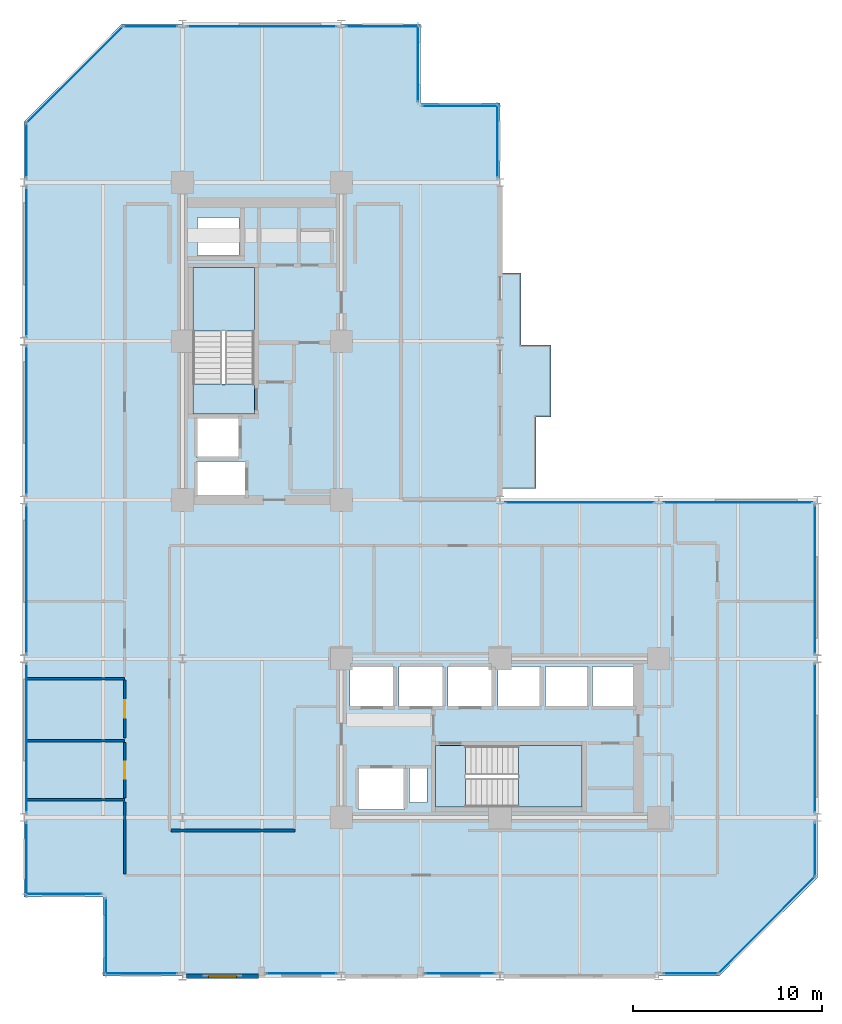
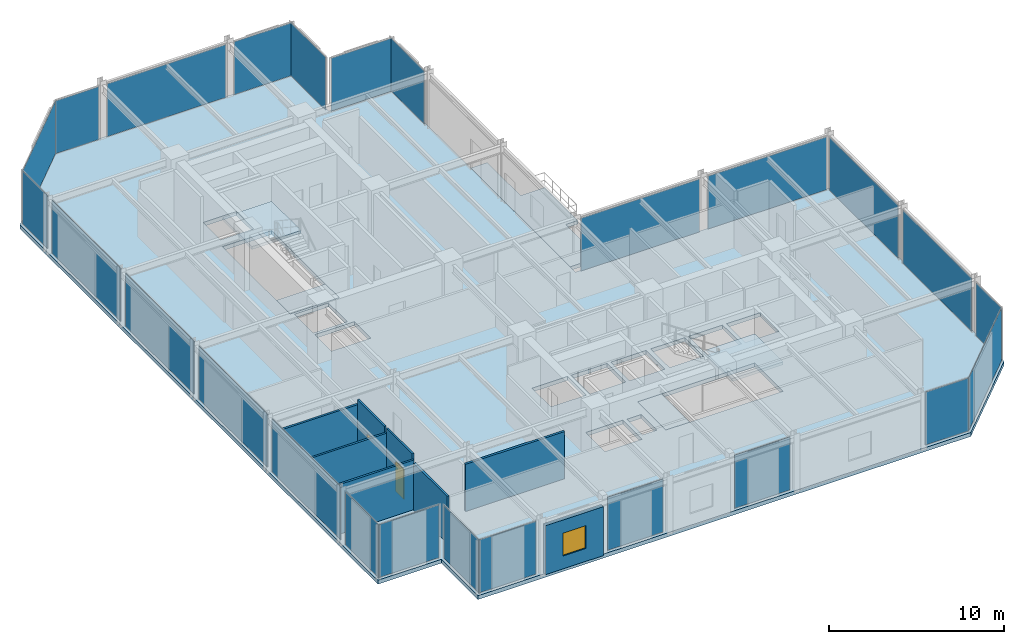
# One storey, part 23 of 29: 25 plates, 8 walls, 6 slabs, 2 doors, 1 window, 3 openings, 27 elements without a shape of their own.
"""IFC4 building model written with IfcOpenShell, lengths in metres."""

from ifc_helpers import new_model, si_unit, direction, frame, frame_2d, origin, origin_2d, place, context, subcontext, project, spatial, polyline, rectangle, outline, extrude, material, layer, layer_set, type_object, element, fill, aggregate, save


model = new_model("IFC4")

# Units and contexts
model_context = context("Model", 3, precision=1e-05, world=origin(), true_north=direction((0.0, 1.0)))
body_context = subcontext(model_context, "Body", "Model", "MODEL_VIEW")
ifc_project = project(units=[si_unit("LENGTHUNIT", "METRE"), si_unit("AREAUNIT", "SQUARE_METRE"), si_unit("VOLUMEUNIT", "CUBIC_METRE"), si_unit("PLANEANGLEUNIT", "RADIAN"), si_unit("MASSUNIT", "GRAM", prefix="KILO")], contexts=[model_context])

# Site, building, storey
site_placement = place(None, origin())
site = spatial("IfcSite", under=ifc_project, at=site_placement, CompositionType="ELEMENT")
building_placement = place(site_placement, origin())
building = spatial("IfcBuilding", under=site, at=building_placement, Name="Nerrivon Quay Data Exchange", CompositionType="ELEMENT")
storey_placement = place(building_placement, frame((0.0, 0.0, 145.89990234375)))
storey = spatial("IfcBuildingStorey", under=building, at=storey_placement, Name="L34", CompositionType="ELEMENT", Elevation=145.89990234375)

# Curtain wall, plate
ifc_material_1 = material(Name="Anodised aluminium 6063-T6", Category="aluminium")
ifc_layer_1 = layer(ifc_material_1, 0.2099609375)
ifc_layer_set_1 = layer_set([ifc_layer_1], Name="Anodised aluminium 6063-T6")
curtain_wall_type = type_object("IfcCurtainWallType", Name="CW-SYS-02", PredefinedType="NOTDEFINED", material=ifc_layer_set_1)
curtain_wall_1_placement = place(storey_placement, origin())
curtain_wall_1 = element("IfcCurtainWall", 1, at=curtain_wall_1_placement, inside=storey, type_object=curtain_wall_type, Name="L34 Unitised Curtain Wall 1", PredefinedType="NOTDEFINED")
ifc_material_2 = material(Name="Double-glazed low-E solar control glass", Category="glass")
ifc_layer_2 = layer(ifc_material_2, 0.028076171875)
ifc_layer_set_2 = layer_set([ifc_layer_2], Name="Double-glazed low-E solar control glass")
plate_type = type_object("IfcPlateType", Name="CWP-GLZ-28", PredefinedType="CURTAIN_PANEL", material=ifc_layer_set_2)
plate_1_placement = place(storey_placement, frame((39.301025390625, 2.698974609375, 0.06494140625), z_axis=(0.0, 0.0, 1.0), x_axis=(-0.707106781187, -0.707106781187, 0.0)))
plate_1 = element("IfcPlate", 2, at=plate_1_placement, type_object=plate_type, Name="CW02 panel 1.1", PredefinedType="CURTAIN_PANEL", context=body_context, shape_type="SweptSolid", body=[
    extrude(rectangle(XDim=7.203857421875, YDim=0.028076171875, at=origin_2d()), origin(), (0.0, 0.0, 1.0), 3.695068359375),
])
aggregate(curtain_wall_1, [plate_1])

curtain_wall_2_placement = place(storey_placement, origin())
curtain_wall_2 = element("IfcCurtainWall", 3, at=curtain_wall_2_placement, inside=storey, type_object=curtain_wall_type, Name="L34 Unitised Curtain Wall 2", PredefinedType="NOTDEFINED")
plate_2_placement = place(storey_placement, frame((35.300048828125, 0.139892578125, 0.06494140625), z_axis=(0.0, 0.0, 1.0), x_axis=(-1.0, 0.0, 0.0)))
plate_2 = element("IfcPlate", 4, at=plate_2_placement, type_object=plate_type, Name="CW02 panel 1.1", PredefinedType="CURTAIN_PANEL", context=body_context, shape_type="SweptSolid", body=[
    extrude(rectangle(XDim=2.85009765625, YDim=0.028076171875, at=origin_2d()), origin(), (0.0, 0.0, 1.0), 3.695068359375),
])
aggregate(curtain_wall_2, [plate_2])

curtain_wall_3_placement = place(storey_placement, origin())
curtain_wall_3 = element("IfcCurtainWall", 5, at=curtain_wall_3_placement, inside=storey, type_object=curtain_wall_type, Name="L34 Unitised Curtain Wall 4", PredefinedType="NOTDEFINED")
plate_3_placement = place(storey_placement, frame((23.08740234375, 0.139892578125, 0.06494140625), z_axis=(0.0, 0.0, 1.0), x_axis=(-1.0, 0.0, 0.0)))
plate_3 = element("IfcPlate", 6, at=plate_3_placement, type_object=plate_type, Name="CW02 panel 1.1", PredefinedType="CURTAIN_PANEL", context=body_context, shape_type="SweptSolid", body=[
    extrude(rectangle(XDim=3.675048828125, YDim=0.028076171875, at=origin_2d()), origin(), (0.0, 0.0, 1.0), 3.695068359375),
])
aggregate(curtain_wall_3, [plate_3])

curtain_wall_4_placement = place(storey_placement, origin())
curtain_wall_4 = element("IfcCurtainWall", 7, at=curtain_wall_4_placement, inside=storey, type_object=curtain_wall_type, Name="L34 Unitised Curtain Wall 6", PredefinedType="NOTDEFINED")
plate_4_placement = place(storey_placement, frame((14.6875, 0.139892578125, 0.06494140625), z_axis=(0.0, 0.0, 1.0), x_axis=(-1.0, 0.0, 0.0)))
plate_4 = element("IfcPlate", 8, at=plate_4_placement, type_object=plate_type, Name="CW02 panel 1.1", PredefinedType="CURTAIN_PANEL", context=body_context, shape_type="SweptSolid", body=[
    extrude(rectangle(XDim=3.675048828125, YDim=0.028076171875, at=origin_2d()), origin(), (0.0, 0.0, 1.0), 3.695068359375),
])
aggregate(curtain_wall_4, [plate_4])

curtain_wall_5_placement = place(storey_placement, origin())
curtain_wall_5 = element("IfcCurtainWall", 9, at=curtain_wall_5_placement, inside=storey, type_object=curtain_wall_type, Name="L34 Unitised Curtain Wall 8", PredefinedType="NOTDEFINED")
plate_5_placement = place(storey_placement, frame((6.199951171875, 0.139892578125, 0.06494140625), z_axis=(0.0, 0.0, 1.0), x_axis=(-1.0, 0.0, 0.0)))
plate_5 = element("IfcPlate", 10, at=plate_5_placement, type_object=plate_type, Name="CW02 panel 1.1", PredefinedType="CURTAIN_PANEL", context=body_context, shape_type="SweptSolid", body=[
    extrude(rectangle(XDim=3.85009765625, YDim=0.028076171875, at=origin_2d()), origin(), (0.0, 0.0, 1.0), 3.695068359375),
])
aggregate(curtain_wall_5, [plate_5])

curtain_wall_6_placement = place(storey_placement, origin())
curtain_wall_6 = element("IfcCurtainWall", 11, at=curtain_wall_6_placement, inside=storey, type_object=curtain_wall_type, Name="L34 Unitised Curtain Wall 9", PredefinedType="NOTDEFINED")
plate_6_placement = place(storey_placement, frame((4.340087890625, 2.10009765625, 0.06494140625), z_axis=(0.0, 0.0, 1.0), x_axis=(0.0, 1.0, 0.0)))
plate_6 = element("IfcPlate", 12, at=plate_6_placement, type_object=plate_type, Name="CW02 panel 1.1", PredefinedType="CURTAIN_PANEL", context=body_context, shape_type="SweptSolid", body=[
    extrude(rectangle(XDim=4.050048828125, YDim=0.028076171875, at=origin_2d()), origin(), (0.0, 0.0, 1.0), 3.695068359375),
])
aggregate(curtain_wall_6, [plate_6])

curtain_wall_7_placement = place(storey_placement, origin())
curtain_wall_7 = element("IfcCurtainWall", 13, at=curtain_wall_7_placement, inside=storey, type_object=curtain_wall_type, Name="L34 Unitised Curtain Wall 10", PredefinedType="NOTDEFINED")
plate_7_placement = place(storey_placement, frame((2.10009765625, 4.340087890625, 0.06494140625), z_axis=(0.0, 0.0, 1.0), x_axis=(-1.0, 0.0, 0.0)))
plate_7 = element("IfcPlate", 14, at=plate_7_placement, type_object=plate_type, Name="CW02 panel 1.1", PredefinedType="CURTAIN_PANEL", context=body_context, shape_type="SweptSolid", body=[
    extrude(rectangle(XDim=4.050048828125, YDim=0.028076171875, at=origin_2d()), origin(), (0.0, 0.0, 1.0), 3.695068359375),
])
aggregate(curtain_wall_7, [plate_7])

curtain_wall_8_placement = place(storey_placement, origin())
curtain_wall_8 = element("IfcCurtainWall", 15, at=curtain_wall_8_placement, inside=storey, type_object=curtain_wall_type, Name="L34 Unitised Curtain Wall 11", PredefinedType="NOTDEFINED")
plate_8_placement = place(storey_placement, frame((0.139892578125, 6.199951171875, 0.06494140625), z_axis=(0.0, 0.0, 1.0), x_axis=(0.0, 1.0, 0.0)))
plate_8 = element("IfcPlate", 16, at=plate_8_placement, type_object=plate_type, Name="CW02 panel 1.1", PredefinedType="CURTAIN_PANEL", context=body_context, shape_type="SweptSolid", body=[
    extrude(rectangle(XDim=3.85009765625, YDim=0.028076171875, at=origin_2d()), origin(), (0.0, 0.0, 1.0), 3.695068359375),
])
aggregate(curtain_wall_8, [plate_8])

curtain_wall_9_placement = place(storey_placement, origin())
curtain_wall_9 = element("IfcCurtainWall", 17, at=curtain_wall_9_placement, inside=storey, type_object=curtain_wall_type, Name="L34 Unitised Curtain Wall 12", PredefinedType="NOTDEFINED")
plate_9_placement = place(storey_placement, frame((0.139892578125, 12.60009765625, 0.06494140625), z_axis=(0.0, 0.0, 1.0), x_axis=(0.0, 1.0, 0.0)))
plate_9 = element("IfcPlate", 18, at=plate_9_placement, type_object=plate_type, Name="CW02 panel 1.1", PredefinedType="CURTAIN_PANEL", context=body_context, shape_type="SweptSolid", body=[
    extrude(rectangle(XDim=7.85009765625, YDim=0.028076171875, at=origin_2d()), origin(), (0.0, 0.0, 1.0), 3.695068359375),
])
aggregate(curtain_wall_9, [plate_9])

curtain_wall_10_placement = place(storey_placement, origin())
curtain_wall_10 = element("IfcCurtainWall", 19, at=curtain_wall_10_placement, inside=storey, type_object=curtain_wall_type, Name="L34 Unitised Curtain Wall 13", PredefinedType="NOTDEFINED")
plate_10_placement = place(storey_placement, frame((0.139892578125, 21.0, 0.06494140625), z_axis=(0.0, 0.0, 1.0), x_axis=(0.0, 1.0, 0.0)))
plate_10 = element("IfcPlate", 20, at=plate_10_placement, type_object=plate_type, Name="CW02 panel 1.1", PredefinedType="CURTAIN_PANEL", context=body_context, shape_type="SweptSolid", body=[
    extrude(rectangle(XDim=7.85009765625, YDim=0.028076171875, at=origin_2d()), origin(), (0.0, 0.0, 1.0), 3.695068359375),
])
aggregate(curtain_wall_10, [plate_10])

curtain_wall_11_placement = place(storey_placement, origin())
curtain_wall_11 = element("IfcCurtainWall", 21, at=curtain_wall_11_placement, inside=storey, type_object=curtain_wall_type, Name="L34 Unitised Curtain Wall 14", PredefinedType="NOTDEFINED")
plate_11_placement = place(storey_placement, frame((0.139892578125, 29.39990234375, 0.06494140625), z_axis=(0.0, 0.0, 1.0), x_axis=(0.0, 1.0, 0.0)))
plate_11 = element("IfcPlate", 22, at=plate_11_placement, type_object=plate_type, Name="CW02 panel 1.1", PredefinedType="CURTAIN_PANEL", context=body_context, shape_type="SweptSolid", body=[
    extrude(rectangle(XDim=7.85009765625, YDim=0.028076171875, at=origin_2d()), origin(), (0.0, 0.0, 1.0), 3.695068359375),
])
aggregate(curtain_wall_11, [plate_11])

curtain_wall_12_placement = place(storey_placement, origin())
curtain_wall_12 = element("IfcCurtainWall", 23, at=curtain_wall_12_placement, inside=storey, type_object=curtain_wall_type, Name="L34 Unitised Curtain Wall 15", PredefinedType="NOTDEFINED")
plate_12_placement = place(storey_placement, frame((0.139892578125, 37.800048828125, 0.06494140625), z_axis=(0.0, 0.0, 1.0), x_axis=(0.0, 1.0, 0.0)))
plate_12 = element("IfcPlate", 24, at=plate_12_placement, type_object=plate_type, Name="CW02 panel 1.1", PredefinedType="CURTAIN_PANEL", context=body_context, shape_type="SweptSolid", body=[
    extrude(rectangle(XDim=7.85009765625, YDim=0.028076171875, at=origin_2d()), origin(), (0.0, 0.0, 1.0), 3.695068359375),
])
aggregate(curtain_wall_12, [plate_12])

curtain_wall_13_placement = place(storey_placement, origin())
curtain_wall_13 = element("IfcCurtainWall", 25, at=curtain_wall_13_placement, inside=storey, type_object=curtain_wall_type, Name="L34 Unitised Curtain Wall 16", PredefinedType="NOTDEFINED")
plate_13_placement = place(storey_placement, frame((0.139892578125, 43.699951171875, 0.06494140625), z_axis=(0.0, 0.0, 1.0), x_axis=(0.0, 1.0, 0.0)))
plate_13 = element("IfcPlate", 26, at=plate_13_placement, type_object=plate_type, Name="CW02 panel 1.1", PredefinedType="CURTAIN_PANEL", context=body_context, shape_type="SweptSolid", body=[
    extrude(rectangle(XDim=2.85009765625, YDim=0.028076171875, at=origin_2d()), origin(), (0.0, 0.0, 1.0), 3.695068359375),
])
aggregate(curtain_wall_13, [plate_13])

curtain_wall_14_placement = place(storey_placement, origin())
curtain_wall_14 = element("IfcCurtainWall", 27, at=curtain_wall_14_placement, inside=storey, type_object=curtain_wall_type, Name="L34 Unitised Curtain Wall 17", PredefinedType="NOTDEFINED")
plate_14_placement = place(storey_placement, frame((2.698974609375, 47.700927734375, 0.06494140625), z_axis=(0.0, 0.0, 1.0), x_axis=(0.707106781187, 0.707106781187, 0.0)))
plate_14 = element("IfcPlate", 28, at=plate_14_placement, type_object=plate_type, Name="CW02 panel 1.1", PredefinedType="CURTAIN_PANEL", context=body_context, shape_type="SweptSolid", body=[
    extrude(rectangle(XDim=7.203857421875, YDim=0.028076171875, at=origin_2d()), origin(), (0.0, 0.0, 1.0), 3.695068359375),
])
aggregate(curtain_wall_14, [plate_14])

curtain_wall_15_placement = place(storey_placement, origin())
curtain_wall_15 = element("IfcCurtainWall", 29, at=curtain_wall_15_placement, inside=storey, type_object=curtain_wall_type, Name="L34 Unitised Curtain Wall 18", PredefinedType="NOTDEFINED")
plate_15_placement = place(storey_placement, frame((6.699951171875, 50.260009765625, 0.06494140625), z_axis=(0.0, 0.0, 1.0), x_axis=(1.0, 0.0, 0.0)))
plate_15 = element("IfcPlate", 30, at=plate_15_placement, type_object=plate_type, Name="CW02 panel 1.1", PredefinedType="CURTAIN_PANEL", context=body_context, shape_type="SweptSolid", body=[
    extrude(rectangle(XDim=2.85009765625, YDim=0.028076171875, at=origin_2d()), origin(), (0.0, 0.0, 1.0), 3.695068359375),
])
aggregate(curtain_wall_15, [plate_15])

curtain_wall_16_placement = place(storey_placement, origin())
curtain_wall_16 = element("IfcCurtainWall", 31, at=curtain_wall_16_placement, inside=storey, type_object=curtain_wall_type, Name="L34 Unitised Curtain Wall 19", PredefinedType="NOTDEFINED")
plate_16_placement = place(storey_placement, frame((12.60009765625, 50.260009765625, 0.06494140625), z_axis=(0.0, 0.0, 1.0), x_axis=(1.0, 0.0, 0.0)))
plate_16 = element("IfcPlate", 32, at=plate_16_placement, type_object=plate_type, Name="CW02 panel 1.1", PredefinedType="CURTAIN_PANEL", context=body_context, shape_type="SweptSolid", body=[
    extrude(rectangle(XDim=7.85009765625, YDim=0.028076171875, at=origin_2d()), origin(), (0.0, 0.0, 1.0), 3.695068359375),
])
aggregate(curtain_wall_16, [plate_16])

curtain_wall_17_placement = place(storey_placement, origin())
curtain_wall_17 = element("IfcCurtainWall", 33, at=curtain_wall_17_placement, inside=storey, type_object=curtain_wall_type, Name="L34 Unitised Curtain Wall 20", PredefinedType="NOTDEFINED")
plate_17_placement = place(storey_placement, frame((19.0, 50.260009765625, 0.06494140625), z_axis=(0.0, 0.0, 1.0), x_axis=(1.0, 0.0, 0.0)))
plate_17 = element("IfcPlate", 34, at=plate_17_placement, type_object=plate_type, Name="CW02 panel 1.1", PredefinedType="CURTAIN_PANEL", context=body_context, shape_type="SweptSolid", body=[
    extrude(rectangle(XDim=3.85009765625, YDim=0.028076171875, at=origin_2d()), origin(), (0.0, 0.0, 1.0), 3.695068359375),
])
aggregate(curtain_wall_17, [plate_17])

curtain_wall_18_placement = place(storey_placement, origin())
curtain_wall_18 = element("IfcCurtainWall", 35, at=curtain_wall_18_placement, inside=storey, type_object=curtain_wall_type, Name="L34 Unitised Curtain Wall 21", PredefinedType="NOTDEFINED")
plate_18_placement = place(storey_placement, frame((20.860107421875, 48.300048828125, 0.06494140625), z_axis=(0.0, 0.0, 1.0), x_axis=(0.0, -1.0, 0.0)))
plate_18 = element("IfcPlate", 36, at=plate_18_placement, type_object=plate_type, Name="CW02 panel 1.1", PredefinedType="CURTAIN_PANEL", context=body_context, shape_type="SweptSolid", body=[
    extrude(rectangle(XDim=4.050048828125, YDim=0.028076171875, at=origin_2d()), origin(), (0.0, 0.0, 1.0), 3.695068359375),
])
aggregate(curtain_wall_18, [plate_18])

curtain_wall_19_placement = place(storey_placement, origin())
curtain_wall_19 = element("IfcCurtainWall", 37, at=curtain_wall_19_placement, inside=storey, type_object=curtain_wall_type, Name="L34 Unitised Curtain Wall 22", PredefinedType="NOTDEFINED")
plate_19_placement = place(storey_placement, frame((23.10009765625, 46.06005859375, 0.06494140625), z_axis=(0.0, 0.0, 1.0), x_axis=(1.0, 0.0, 0.0)))
plate_19 = element("IfcPlate", 38, at=plate_19_placement, type_object=plate_type, Name="CW02 panel 1.1", PredefinedType="CURTAIN_PANEL", context=body_context, shape_type="SweptSolid", body=[
    extrude(rectangle(XDim=4.050048828125, YDim=0.028076171875, at=origin_2d()), origin(), (0.0, 0.0, 1.0), 3.695068359375),
])
aggregate(curtain_wall_19, [plate_19])

curtain_wall_20_placement = place(storey_placement, origin())
curtain_wall_20 = element("IfcCurtainWall", 39, at=curtain_wall_20_placement, inside=storey, type_object=curtain_wall_type, Name="L34 Unitised Curtain Wall 23", PredefinedType="NOTDEFINED")
plate_20_placement = place(storey_placement, frame((25.06005859375, 44.199951171875, 0.06494140625), z_axis=(0.0, 0.0, 1.0), x_axis=(0.0, -1.0, 0.0)))
plate_20 = element("IfcPlate", 40, at=plate_20_placement, type_object=plate_type, Name="CW02 panel 1.1", PredefinedType="CURTAIN_PANEL", context=body_context, shape_type="SweptSolid", body=[
    extrude(rectangle(XDim=3.85009765625, YDim=0.028076171875, at=origin_2d()), origin(), (0.0, 0.0, 1.0), 3.695068359375),
])
aggregate(curtain_wall_20, [plate_20])

curtain_wall_21_placement = place(storey_placement, origin())
curtain_wall_21 = element("IfcCurtainWall", 41, at=curtain_wall_21_placement, inside=storey, type_object=curtain_wall_type, Name="L34 Unitised Curtain Wall 26", PredefinedType="NOTDEFINED")
plate_21_placement = place(storey_placement, frame((29.39990234375, 25.06005859375, 0.06494140625), z_axis=(0.0, 0.0, 1.0), x_axis=(1.0, 0.0, 0.0)))
plate_21 = element("IfcPlate", 42, at=plate_21_placement, type_object=plate_type, Name="CW02 panel 1.1", PredefinedType="CURTAIN_PANEL", context=body_context, shape_type="SweptSolid", body=[
    extrude(rectangle(XDim=7.85009765625, YDim=0.028076171875, at=origin_2d()), origin(), (0.0, 0.0, 1.0), 3.695068359375),
])
aggregate(curtain_wall_21, [plate_21])

curtain_wall_22_placement = place(storey_placement, origin())
curtain_wall_22 = element("IfcCurtainWall", 43, at=curtain_wall_22_placement, inside=storey, type_object=curtain_wall_type, Name="L34 Unitised Curtain Wall 27", PredefinedType="NOTDEFINED")
plate_22_placement = place(storey_placement, frame((37.800048828125, 25.06005859375, 0.06494140625), z_axis=(0.0, 0.0, 1.0), x_axis=(1.0, 0.0, 0.0)))
plate_22 = element("IfcPlate", 44, at=plate_22_placement, type_object=plate_type, Name="CW02 panel 1.1", PredefinedType="CURTAIN_PANEL", context=body_context, shape_type="SweptSolid", body=[
    extrude(rectangle(XDim=7.85009765625, YDim=0.028076171875, at=origin_2d()), origin(), (0.0, 0.0, 1.0), 3.695068359375),
])
aggregate(curtain_wall_22, [plate_22])

curtain_wall_23_placement = place(storey_placement, origin())
curtain_wall_23 = element("IfcCurtainWall", 45, at=curtain_wall_23_placement, inside=storey, type_object=curtain_wall_type, Name="L34 Unitised Curtain Wall 28", PredefinedType="NOTDEFINED")
plate_23_placement = place(storey_placement, frame((41.860107421875, 21.0, 0.06494140625), z_axis=(0.0, 0.0, 1.0), x_axis=(0.0, -1.0, 0.0)))
plate_23 = element("IfcPlate", 46, at=plate_23_placement, type_object=plate_type, Name="CW02 panel 1.1", PredefinedType="CURTAIN_PANEL", context=body_context, shape_type="SweptSolid", body=[
    extrude(rectangle(XDim=7.85009765625, YDim=0.028076171875, at=origin_2d()), origin(), (0.0, 0.0, 1.0), 3.695068359375),
])
aggregate(curtain_wall_23, [plate_23])

curtain_wall_24_placement = place(storey_placement, origin())
curtain_wall_24 = element("IfcCurtainWall", 47, at=curtain_wall_24_placement, inside=storey, type_object=curtain_wall_type, Name="L34 Unitised Curtain Wall 29", PredefinedType="NOTDEFINED")
plate_24_placement = place(storey_placement, frame((41.860107421875, 12.60009765625, 0.06494140625), z_axis=(0.0, 0.0, 1.0), x_axis=(0.0, -1.0, 0.0)))
plate_24 = element("IfcPlate", 48, at=plate_24_placement, type_object=plate_type, Name="CW02 panel 1.1", PredefinedType="CURTAIN_PANEL", context=body_context, shape_type="SweptSolid", body=[
    extrude(rectangle(XDim=7.85009765625, YDim=0.028076171875, at=origin_2d()), origin(), (0.0, 0.0, 1.0), 3.695068359375),
])
aggregate(curtain_wall_24, [plate_24])

curtain_wall_25_placement = place(storey_placement, origin())
curtain_wall_25 = element("IfcCurtainWall", 49, at=curtain_wall_25_placement, inside=storey, type_object=curtain_wall_type, Name="L34 Unitised Curtain Wall 30", PredefinedType="NOTDEFINED")
plate_25_placement = place(storey_placement, frame((41.860107421875, 6.699951171875, 0.06494140625), z_axis=(0.0, 0.0, 1.0), x_axis=(0.0, -1.0, 0.0)))
plate_25 = element("IfcPlate", 50, at=plate_25_placement, type_object=plate_type, Name="CW02 panel 1.1", PredefinedType="CURTAIN_PANEL", context=body_context, shape_type="SweptSolid", body=[
    extrude(rectangle(XDim=2.85009765625, YDim=0.028076171875, at=origin_2d()), origin(), (0.0, 0.0, 1.0), 3.695068359375),
])
aggregate(curtain_wall_25, [plate_25])

# Slab
ifc_material_3 = material(Name="Precast white architectural concrete N50 (50 MPa)", Category="concrete")
ifc_layer_3 = layer(ifc_material_3, 0.25)
ifc_layer_set_3 = layer_set([ifc_layer_3], Name="Precast white architectural concrete N50 (50 MPa)")
slab_type_1 = type_object("IfcSlabType", Name="SLB-BAL-250", PredefinedType="FLOOR", material=ifc_layer_set_3)
slab_1_placement = place(storey_placement, frame((0.0, 0.0, -0.25)))
element("IfcSlab", 51, at=slab_1_placement, inside=storey, type_object=slab_type_1, Name="L34 Waterfront Subtropical Verandah", PredefinedType="FLOOR", context=body_context, shape_type="SweptSolid", body=[
    extrude(outline(polyline([(27.10009765625, 29.60009765625), (27.89990234375, 29.60009765625), (27.89990234375, 33.39990234375), (26.300048828125, 33.39990234375), (26.300048828125, 37.199951171875), (25.199951171875, 37.199951171875), (25.199951171875, 33.39990234375), (25.199951171875, 29.60009765625), (25.199951171875, 25.800048828125), (27.10009765625, 25.800048828125), (27.10009765625, 29.60009765625)])), origin(), (0.0, 0.0, 1.0), 0.25),
])

# Stair, slab
ifc_material_4 = material(Name="Concrete N50 (50 MPa)", Category="concrete")
stair_type = type_object("IfcStairType", Name="STAIR-DOG-41", PredefinedType="HALF_TURN_STAIR", material=ifc_material_4)
stair_1_placement = place(storey_placement, origin())
stair_1 = element("IfcStair", 52, at=stair_1_placement, inside=storey, type_object=stair_type, Name="L34 West Core Fire Stair ST01", PredefinedType="HALF_TURN_STAIR")
ifc_layer_4 = layer(ifc_material_4, 0.199951171875)
ifc_layer_set_4 = layer_set([ifc_layer_4], Name="Concrete N50 (50 MPa)")
slab_type_2 = type_object("IfcSlabType", Name="SLB-LAND-200", PredefinedType="LANDING", material=ifc_layer_set_4)
slab_2_placement = place(storey_placement, frame((0.0, 0.0, 1.85009765625)))
slab_2 = element("IfcSlab", 53, at=slab_2_placement, type_object=slab_type_2, Name="ST01 landing 1", PredefinedType="LANDING", context=body_context, shape_type="SweptSolid", body=[
    extrude(outline(polyline([(12.199951171875, 34.1298828125), (12.199951171875, 37.5), (8.949951171875, 37.5), (8.949951171875, 34.1298828125), (12.199951171875, 34.1298828125)])), origin(), (0.0, 0.0, 1.0), 0.199951171875),
])
aggregate(stair_1, [slab_2])

# Slab
slab_3_placement = place(storey_placement, frame((0.0, 0.0, -0.199951171875)))
element("IfcSlab", 54, at=slab_3_placement, inside=storey, type_object=slab_type_2, Name="L34 ST01 floor landing", PredefinedType="LANDING", context=body_context, shape_type="SweptSolid", body=[
    extrude(outline(polyline([(12.199951171875, 29.75), (12.199951171875, 31.330078125), (8.949951171875, 31.330078125), (8.949951171875, 29.75), (12.199951171875, 29.75)])), origin(), (0.0, 0.0, 1.0), 0.199951171875),
])

# Stair, slab
stair_2_placement = place(storey_placement, origin())
stair_2 = element("IfcStair", 55, at=stair_2_placement, inside=storey, type_object=stair_type, Name="L34 East Core Fire Stair ST02", PredefinedType="HALF_TURN_STAIR")
slab_4_placement = place(storey_placement, frame((0.0, 0.0, 1.85009765625)))
slab_4 = element("IfcSlab", 56, at=slab_4_placement, type_object=slab_type_2, Name="ST02 landing 1", PredefinedType="LANDING", context=body_context, shape_type="SweptSolid", body=[
    extrude(outline(polyline([(26.179931640625, 8.949951171875), (29.550048828125, 8.949951171875), (29.550048828125, 12.199951171875), (26.179931640625, 12.199951171875), (26.179931640625, 8.949951171875)])), origin(), (0.0, 0.0, 1.0), 0.199951171875),
])
aggregate(stair_2, [slab_4])

# Slabs
slab_5_placement = place(storey_placement, frame((0.0, 0.0, -0.199951171875)))
element("IfcSlab", 57, at=slab_5_placement, inside=storey, type_object=slab_type_2, Name="L34 ST02 floor landing", PredefinedType="LANDING", context=body_context, shape_type="SweptSolid", body=[
    extrude(outline(polyline([(21.800048828125, 8.949951171875), (23.3798828125, 8.949951171875), (23.3798828125, 12.199951171875), (21.800048828125, 12.199951171875), (21.800048828125, 8.949951171875)])), origin(), (0.0, 0.0, 1.0), 0.199951171875),
])
ifc_layer_5 = layer(ifc_material_4, 0.27490234375)
ifc_layer_set_5 = layer_set([ifc_layer_5], Name="Concrete N50 (50 MPa)")
slab_type_3 = type_object("IfcSlabType", Name="SLB-TOW-275", PredefinedType="FLOOR", material=ifc_layer_set_5)
slab_6_placement = place(storey_placement, frame((0.0, 0.0, -0.27490234375)))
element("IfcSlab", 58, at=slab_6_placement, inside=storey, type_object=slab_type_3, Name="L34 Primary Structural Slab", PredefinedType="FLOOR", context=body_context, shape_type="SweptSolid", body=[
    extrude(outline(polyline([(42.0, 25.199951171875), (25.199951171875, 25.199951171875), (25.199951171875, 46.199951171875), (21.0, 46.199951171875), (21.0, 50.39990234375), (5.199951171875, 50.39990234375), (0.0, 45.199951171875), (0.0, 4.199951171875), (4.199951171875, 4.199951171875), (4.199951171875, 0.0), (36.800048828125, 0.0), (42.0, 5.199951171875), (42.0, 25.199951171875)]), holes=[polyline([(8.949951171875, 29.75), (8.949951171875, 37.5), (12.199951171875, 37.5), (12.199951171875, 29.75), (8.949951171875, 29.75)]), polyline([(21.800048828125, 12.199951171875), (29.550048828125, 12.199951171875), (29.550048828125, 8.949951171875), (21.800048828125, 8.949951171875), (21.800048828125, 12.199951171875)]), polyline([(30.10009765625, 16.39990234375), (32.35009765625, 16.39990234375), (32.35009765625, 14.25), (30.10009765625, 14.25), (30.10009765625, 16.39990234375)]), polyline([(27.60009765625, 16.39990234375), (29.85009765625, 16.39990234375), (29.85009765625, 14.25), (27.60009765625, 14.25), (27.60009765625, 16.39990234375)]), polyline([(25.10009765625, 14.25), (25.10009765625, 16.39990234375), (27.35009765625, 16.39990234375), (27.35009765625, 14.25), (25.10009765625, 14.25)]), polyline([(22.449951171875, 16.39990234375), (24.800048828125, 16.39990234375), (24.800048828125, 14.25), (22.449951171875, 14.25), (22.449951171875, 16.39990234375)]), polyline([(19.85009765625, 16.39990234375), (22.199951171875, 16.39990234375), (22.199951171875, 14.25), (19.85009765625, 14.25), (19.85009765625, 16.39990234375)]), polyline([(20.39990234375, 9.199951171875), (20.39990234375, 11.0), (21.35009765625, 11.0), (21.35009765625, 9.199951171875), (20.39990234375, 9.199951171875)]), polyline([(17.699951171875, 8.830078125), (17.699951171875, 11.030029296875), (20.14990234375, 11.030029296875), (20.14990234375, 8.830078125), (17.699951171875, 8.830078125)]), polyline([(17.25, 14.25), (17.25, 16.39990234375), (19.60009765625, 16.39990234375), (19.60009765625, 14.25), (17.25, 14.25)]), polyline([(9.14990234375, 27.25), (11.75, 27.25), (11.75, 25.35009765625), (9.14990234375, 25.35009765625), (9.14990234375, 27.25)]), polyline([(9.14990234375, 29.60009765625), (11.39990234375, 29.60009765625), (11.39990234375, 27.449951171875), (9.14990234375, 27.449951171875), (9.14990234375, 29.60009765625)]), polyline([(9.199951171875, 38.14990234375), (9.199951171875, 40.14990234375), (11.39990234375, 40.14990234375), (11.39990234375, 38.14990234375), (9.199951171875, 38.14990234375)])]), origin(), (0.0, 0.0, 1.0), 0.27490234375),
])

# Wall, opening, window
ifc_material_5 = material(Name="Architectural terracotta precast concrete N50 (50 MPa)", Category="masonry")
ifc_layer_6 = layer(ifc_material_5, 0.239990234375)
ifc_layer_set_6 = layer_set([ifc_layer_6], Name="Architectural terracotta precast concrete N50 (50 MPa)")
wall_type_1 = type_object("IfcWallType", Name="EW-PREC-240", PredefinedType="STANDARD", material=ifc_layer_set_6)
wall_1_placement = place(storey_placement, frame((12.425048828125, 0.0, 0.0), z_axis=(0.0, 0.0, 1.0), x_axis=(-1.0, 0.0, 0.0)))
wall_1 = element("IfcWall", 59, at=wall_1_placement, inside=storey, type_object=wall_type_1, Name="L34 Podium Precast Spandrel Wall 7", PredefinedType="STANDARD", context=body_context, shape_type="SweptSolid", body=[
    extrude(rectangle(XDim=3.824951171875, YDim=0.239990234375, at=frame_2d((1.91259765625, 0.0))), origin(), (0.0, 0.0, 1.0), 3.422119140625),
])
opening_1_placement = place(wall_1_placement, frame((1.16259765625, 0.0, 0.89990234375)))
opening_1 = element("IfcOpeningElement", 60, at=opening_1_placement, cuts=wall_1, Name="Opening WN4", PredefinedType="OPENING", context=body_context, shape_type="SweptSolid", body=[
    extrude(rectangle(XDim=1.5, YDim=1.60009765625, at=frame_2d((0.75, 0.800048828125))), frame((0.0, 0.1298828125, 0.0), z_axis=(0.0, -1.0, 0.0), x_axis=(1.0, 0.0, 0.0)), (0.0, 0.0, 1.0), 0.260009765625),
])
window_type = type_object("IfcWindowType", Name="WIN-W4-1500x1600", PartitioningType="SINGLE_PANEL", PredefinedType="WINDOW", material=ifc_material_2)
window_placement = place(opening_1_placement, origin())
window = element("IfcWindow", 61, at=window_placement, inside=storey, type_object=window_type, Name="L34 Solar Facade Window 7", OverallHeight=1.60009765625, OverallWidth=1.5, PartitioningType="SINGLE_PANEL", PredefinedType="WINDOW", context=body_context, shape_type="SweptSolid", body=[
    extrude(rectangle(XDim=1.5, YDim=1.60009765625, at=frame_2d((0.75, 0.800048828125))), frame((0.0, 0.030029296875, 0.0), z_axis=(0.0, -1.0, 0.0), x_axis=(1.0, 0.0, 0.0)), (0.0, 0.0, 1.0), 0.06005859375),
])
fill(opening_1, window)

# Wall, opening, door
ifc_material_6 = material(Name="Gypsum plasterboard on cold-formed framing", Category="gypsum")
ifc_layer_7 = layer(ifc_material_6, 0.1201171875)
ifc_layer_set_7 = layer_set([ifc_layer_7], Name="Gypsum plasterboard on cold-formed framing")
wall_type_2 = type_object("IfcWallType", Name="WALL-PT-120", PredefinedType="PARTITIONING", material=ifc_layer_set_7)
wall_2_placement = place(storey_placement, frame((5.340087890625, 9.42138671875, 0.0), z_axis=(0.0, 0.0, 1.0), x_axis=(0.0, 1.0, 0.0)))
wall_2 = element("IfcWall", 62, at=wall_2_placement, inside=storey, type_object=wall_type_2, Name="L34 Partition Accessible Toilet", PredefinedType="PARTITIONING", context=body_context, shape_type="SweptSolid", body=[
    extrude(rectangle(XDim=2.95703125, YDim=0.1201171875, at=frame_2d((1.478515625, 0.0))), origin(), (0.0, 0.0, 1.0), 3.8251953125),
])
opening_2_placement = place(wall_2_placement, frame((1.0185546875, 0.0, 0.0)))
opening_2 = element("IfcOpeningElement", 63, at=opening_2_placement, cuts=wall_2, Name="Opening D-WC", PredefinedType="OPENING", context=body_context, shape_type="SweptSolid", body=[
    extrude(rectangle(XDim=0.919921875, YDim=2.10009765625, at=frame_2d((0.4599609375, 1.050048828125))), frame((0.0, 0.070068359375, 0.0), z_axis=(0.0, -1.0, 0.0), x_axis=(1.0, 0.0, 0.0)), (0.0, 0.0, 1.0), 0.14013671875),
])
ifc_material_7 = material(Name="Engineered hardwood timber", Category="wood")
door_type = type_object("IfcDoorType", Name="DR-WC-920", OperationType="NOTDEFINED", PredefinedType="DOOR", material=ifc_material_7)
door_1_placement = place(opening_2_placement, origin())
door_1 = element("IfcDoor", 64, at=door_1_placement, inside=storey, type_object=door_type, Name="L34 Door Accessible Toilet", OperationType="SINGLE_SWING_LEFT", OverallHeight=2.10009765625, OverallWidth=0.919921875, PredefinedType="DOOR", context=body_context, shape_type="SweptSolid", body=[
    extrude(rectangle(XDim=0.919921875, YDim=2.10009765625, at=frame_2d((0.4599609375, 1.050048828125))), frame((0.0, 0.02490234375, 0.0), z_axis=(0.0, -1.0, 0.0), x_axis=(1.0, 0.0, 0.0)), (0.0, 0.0, 1.0), 0.050048828125),
])
fill(opening_2, door_1)

wall_3_placement = place(storey_placement, frame((5.340087890625, 12.60009765625, 0.0), z_axis=(0.0, 0.0, 1.0), x_axis=(0.0, 1.0, 0.0)))
wall_3 = element("IfcWall", 65, at=wall_3_placement, inside=storey, type_object=wall_type_2, Name="L34 Partition Public Washrooms", PredefinedType="PARTITIONING", context=body_context, shape_type="SweptSolid", body=[
    extrude(rectangle(XDim=3.078369140625, YDim=0.1201171875, at=frame_2d((1.5390625, 0.0))), origin(), (0.0, 0.0, 1.0), 3.8251953125),
])
opening_3_placement = place(wall_3_placement, frame((1.079345703125, 0.0, 0.0)))
opening_3 = element("IfcOpeningElement", 66, at=opening_3_placement, cuts=wall_3, Name="Opening D-WC", PredefinedType="OPENING", context=body_context, shape_type="SweptSolid", body=[
    extrude(rectangle(XDim=0.919921875, YDim=2.10009765625, at=frame_2d((0.4599609375, 1.050048828125))), frame((0.0, 0.070068359375, 0.0), z_axis=(0.0, -1.0, 0.0), x_axis=(1.0, 0.0, 0.0)), (0.0, 0.0, 1.0), 0.14013671875),
])
door_2_placement = place(opening_3_placement, origin())
door_2 = element("IfcDoor", 67, at=door_2_placement, inside=storey, type_object=door_type, Name="L34 Door Public Washrooms", OperationType="SINGLE_SWING_RIGHT", OverallHeight=2.10009765625, OverallWidth=0.919921875, PredefinedType="DOOR", context=body_context, shape_type="SweptSolid", body=[
    extrude(rectangle(XDim=0.919921875, YDim=2.10009765625, at=frame_2d((0.4599609375, 1.050048828125))), frame((0.0, 0.02490234375, 0.0), z_axis=(0.0, -1.0, 0.0), x_axis=(1.0, 0.0, 0.0)), (0.0, 0.0, 1.0), 0.050048828125),
])
fill(opening_3, door_2)

# Walls
ifc_layer_8 = layer(ifc_material_6, 0.135009765625)
ifc_layer_set_8 = layer_set([ifc_layer_8], Name="Gypsum plasterboard on cold-formed framing")
wall_type_3 = type_object("IfcWallType", Name="WALL-PT-135", PredefinedType="PARTITIONING", material=ifc_layer_set_8)
for number, where, z_axis, x_axis, name in (
    (68, (5.340087890625, 12.449951171875, 0.0), (0.0, 0.0, 1.0), (-1.0, 0.0, 0.0), "L34 Partition Accessible Toilet"),
    (69, (0.1689453125, 9.35009765625, 0.0), (0.0, 0.0, 1.0), (1.0, 0.0, 0.0), "L34 Partition Accessible Toilet"),
    (70, (5.340087890625, 15.75, 0.0), (0.0, 0.0, 1.0), (-1.0, 0.0, 0.0), "L34 Partition Public Washrooms"),
):
    element("IfcWall", number, at=place(storey_placement, frame(where, z_axis=z_axis, x_axis=x_axis)), inside=storey, type_object=wall_type_3, Name=name, PredefinedType="PARTITIONING", context=body_context, shape_type="SweptSolid", body=[
        extrude(rectangle(XDim=5.171142578125, YDim=0.135009765625, at=frame_2d((2.58544921875, 0.0))), origin(), (0.0, 0.0, 1.0), 3.468994140625),
    ])
wall_4_placement = place(storey_placement, frame((5.340087890625, 5.39990234375, 0.0), z_axis=(0.0, 0.0, 1.0), x_axis=(0.0, 1.0, 0.0)))
element("IfcWall", 71, at=wall_4_placement, inside=storey, type_object=wall_type_3, Name="L34 Partition Technical Library", PredefinedType="PARTITIONING", context=body_context, shape_type="SweptSolid", body=[
    extrude(rectangle(XDim=3.830078125, YDim=0.135009765625, at=frame_2d((1.9150390625, 0.0))), origin(), (0.0, 0.0, 1.0), 3.2919921875),
])
ifc_layer_9 = layer(ifc_material_6, 0.14990234375)
ifc_layer_set_9 = layer_set([ifc_layer_9], Name="Gypsum plasterboard on cold-formed framing")
wall_type_4 = type_object("IfcWallType", Name="WALL-PT-150", PredefinedType="PARTITIONING", material=ifc_layer_set_9)
wall_5_placement = place(storey_placement, frame((7.7890625, 7.7099609375, 0.0), z_axis=(0.0, 0.0, 1.0), x_axis=(1.0, 0.0, 0.0)))
element("IfcWall", 72, at=wall_5_placement, inside=storey, type_object=wall_type_4, Name="L34 Partition Peering Huddle Meeting Room", PredefinedType="PARTITIONING", context=body_context, shape_type="SweptSolid", body=[
    extrude(rectangle(XDim=6.551025390625, YDim=0.14990234375, at=frame_2d((3.275390625, 0.0))), origin(), (0.0, 0.0, 1.0), 3.297119140625),
])

save(model, "model.ifc")
